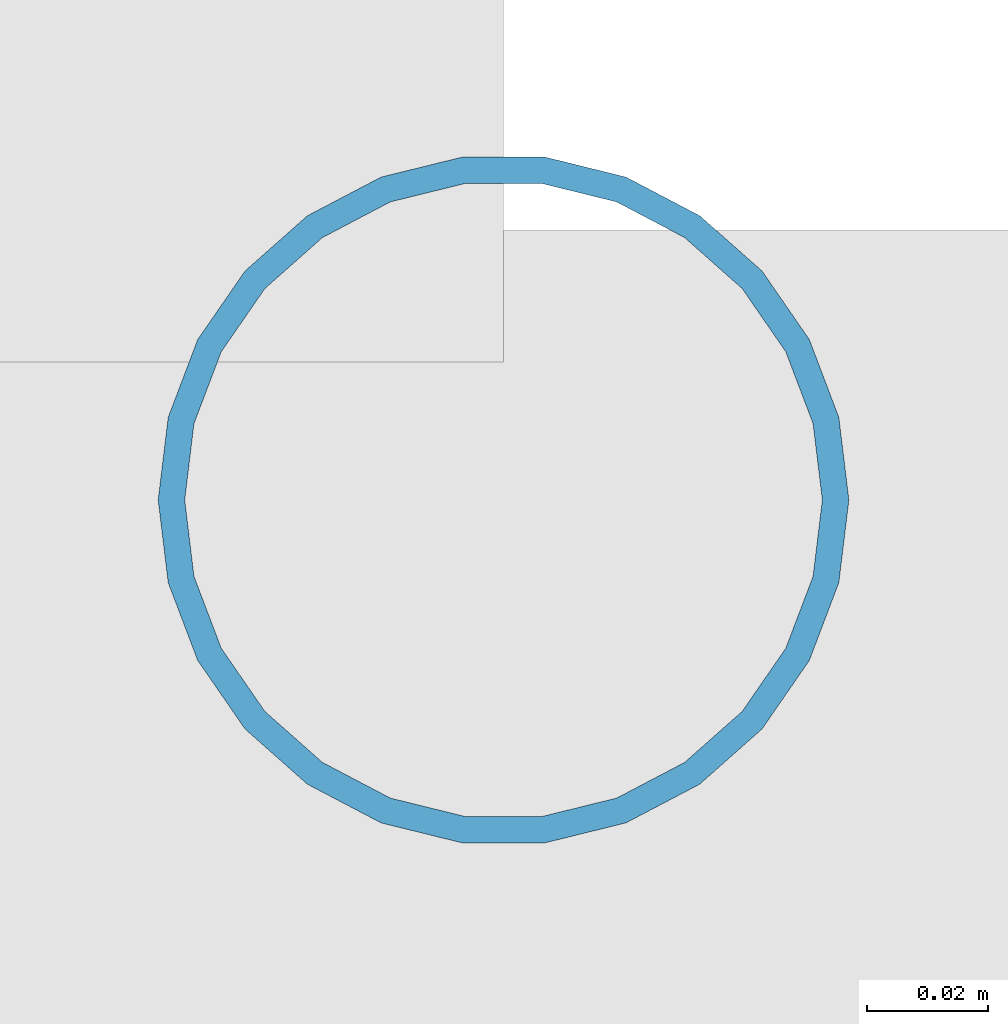
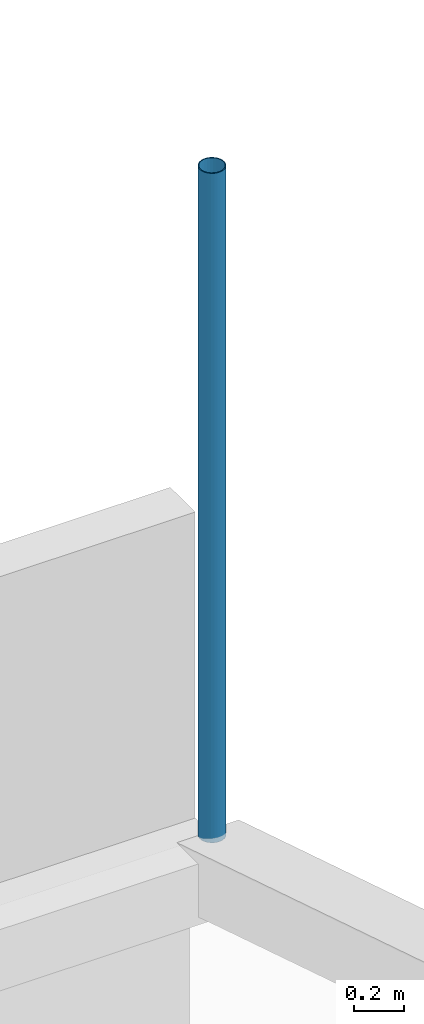
# One storey, part 52 of 85: 1 discrete accessory.
"""IFC4 building model written with IfcOpenShell, lengths in metres."""

from ifc_helpers import new_model, si_unit, direction, frame, origin, origin_2d, place, context, subcontext, project, spatial, hollow_circle, extrude, material, material_profile, profile_set, type_object, element, save


model = new_model("IFC4")

# Units and contexts
model_context = context("Model", 3, precision=1e-05, world=origin(), true_north=direction((0.0, 1.0)))
body_context = subcontext(model_context, "Body", "Model", "MODEL_VIEW")
ifc_project = project(units=[si_unit("LENGTHUNIT", "METRE"), si_unit("AREAUNIT", "SQUARE_METRE"), si_unit("VOLUMEUNIT", "CUBIC_METRE"), si_unit("PLANEANGLEUNIT", "RADIAN"), si_unit("MASSUNIT", "GRAM", prefix="KILO")], contexts=[model_context])

# Site, building, storey
site_placement = place(None, origin())
site = spatial("IfcSite", under=ifc_project, at=site_placement, CompositionType="ELEMENT")
building_placement = place(site_placement, origin())
building = spatial("IfcBuilding", under=site, at=building_placement, Name="Rain Tree Exposition and Congress Centre", CompositionType="ELEMENT")
storey_placement = place(building_placement, frame((0.0, 0.0, 15.0)))
storey = spatial("IfcBuildingStorey", under=building, at=storey_placement, Name="L03", CompositionType="ELEMENT", Elevation=15.0)

# Discrete accessory
ifc_material = material(Name="Steel S355J2H", Category="steel")
ifc_material_profile = material_profile(ifc_material, hollow_circle(Radius=0.05712890625, WallThickness=0.00439453125, at=origin_2d()), Name="CHS 114x4.5")
ifc_profile_set = profile_set([ifc_material_profile], Name="Steel S355J2H")
discrete_accessory_type = type_object("IfcDiscreteAccessoryType", Name="Roof skin post CHS 114x4.5", PredefinedType="BRACKET", material=ifc_profile_set)
discrete_accessory_placement = place(storey_placement, frame((126.0, 201.60009765625, 3.0), z_axis=(0.0, 0.0, 1.0), x_axis=(1.0, 0.0, 0.0)))
element("IfcDiscreteAccessory", 1, at=discrete_accessory_placement, inside=storey, type_object=discrete_accessory_type, Name="Roof skin post A195", PredefinedType="BRACKET", context=body_context, shape_type="SweptSolid", body=[
    extrude(hollow_circle(Radius=0.05712890625, WallThickness=0.00439453125, at=origin_2d()), origin(), (0.0, 0.0, 1.0), 3.281982421875),
])

save(model, "model.ifc")
